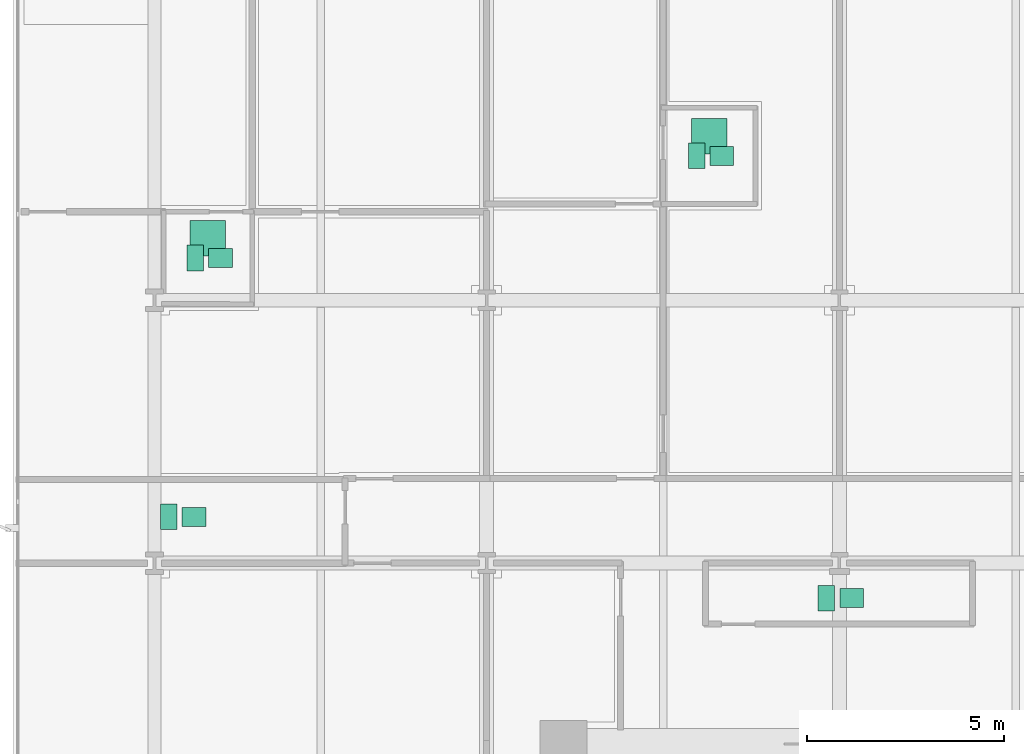
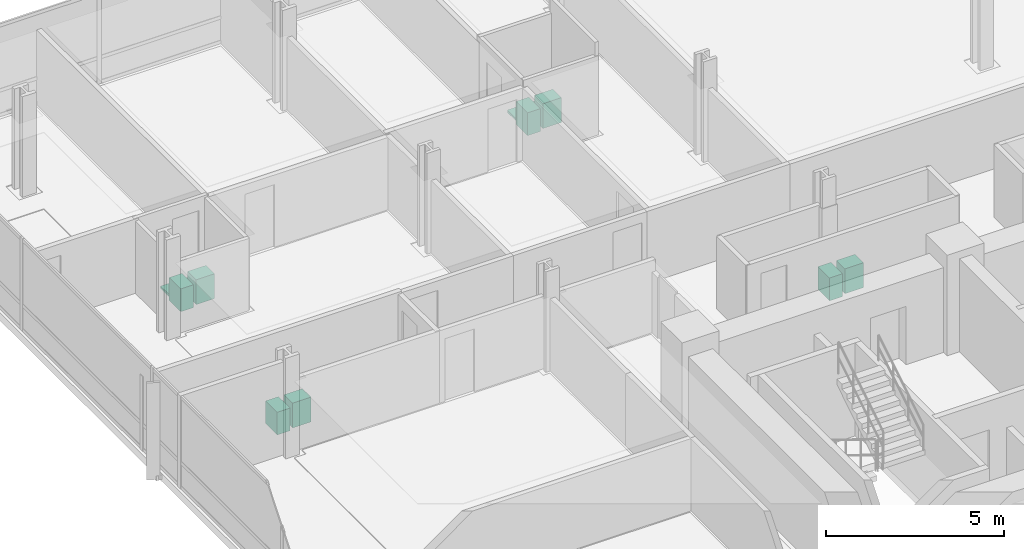
# One storey, part 21 of 21: 10 sanitary terminals.
"""IFC4 building model written with IfcOpenShell, lengths in metres."""

from ifc_helpers import new_model, si_unit, direction, frame, origin, origin_2d, place, context, subcontext, project, spatial, rectangle, extrude, material, type_object, element, save


model = new_model("IFC4")

# Units and contexts
model_context = context("Model", 3, precision=1e-05, world=origin(), true_north=direction((0.0, 1.0)))
body_context = subcontext(model_context, "Body", "Model", "MODEL_VIEW")
ifc_project = project(units=[si_unit("LENGTHUNIT", "METRE"), si_unit("AREAUNIT", "SQUARE_METRE"), si_unit("VOLUMEUNIT", "CUBIC_METRE"), si_unit("PLANEANGLEUNIT", "RADIAN"), si_unit("MASSUNIT", "GRAM", prefix="KILO")], contexts=[model_context])

# Site, building, storey
site_placement = place(None, origin())
site = spatial("IfcSite", under=ifc_project, at=site_placement, CompositionType="ELEMENT")
building_placement = place(site_placement, origin())
building = spatial("IfcBuilding", under=site, at=building_placement, Name="Solmavex Isthmus Hotel", CompositionType="ELEMENT")
storey_placement = place(building_placement, frame((0.0, 0.0, 60.89990234375)))
storey = spatial("IfcBuildingStorey", under=building, at=storey_placement, Name="L16", CompositionType="ELEMENT", Elevation=60.89990234375)

# Sanitary terminals
ifc_material = material(Name="Vitreous china ceramic", Category="ceramic")
sanitary_terminal_type_1 = type_object("IfcSanitaryTerminalType", Name="SAN-BASIN", PredefinedType="WASHHANDBASIN", material=ifc_material)
for number, where, z_axis, x_axis, name in (
    (1, (-24.720947265625, 9.863037109375, 0.0), (0.0, 0.0, 1.0), (1.0, 0.0, 0.0), "Vanity Washbasin L16-74"),
    (2, (-11.968994140625, 12.462890625, 0.0), (0.0, 0.0, 1.0), (1.0, 0.0, 0.0), "Vanity Washbasin L16-75"),
    (3, (-8.666015625, 1.21240234375, 0.0), (0.0, 0.0, 1.0), (1.0, 0.0, 0.0), "Vanity Washbasin L16-76"),
    (4, (-25.39599609375, 3.277587890625, 0.0), (0.0, 0.0, 1.0), (1.0, 0.0, 0.0), "Vanity Washbasin L16-77"),
):
    element("IfcSanitaryTerminal", number, at=place(storey_placement, frame(where, z_axis=z_axis, x_axis=x_axis)), inside=storey, type_object=sanitary_terminal_type_1, Name=name, PredefinedType="WASHHANDBASIN", context=body_context, shape_type="SweptSolid", body=[
        extrude(rectangle(XDim=0.60009765625, YDim=0.47998046875, at=origin_2d()), origin(), (0.0, 0.0, 1.0), 0.85009765625),
    ])
sanitary_terminal_type_2 = type_object("IfcSanitaryTerminalType", Name="SAN-SHOWER", PredefinedType="SHOWER", material=ifc_material)
for number, where, z_axis, x_axis, name in (
    (5, (-25.041015625, 10.363037109375, 0.0), (0.0, 0.0, 1.0), (1.0, 0.0, 0.0), "Walk-In Shower L16-74"),
    (6, (-12.2890625, 12.962890625, 0.0), (0.0, 0.0, 1.0), (1.0, 0.0, 0.0), "Walk-In Shower L16-75"),
):
    element("IfcSanitaryTerminal", number, at=place(storey_placement, frame(where, z_axis=z_axis, x_axis=x_axis)), inside=storey, type_object=sanitary_terminal_type_2, Name=name, PredefinedType="SHOWER", context=body_context, shape_type="SweptSolid", body=[
        extrude(rectangle(XDim=0.89990234375, YDim=0.89990234375, at=origin_2d()), origin(), (0.0, 0.0, 1.0), 0.080078125),
    ])
sanitary_terminal_type_3 = type_object("IfcSanitaryTerminalType", Name="SAN-WC-SUITE", PredefinedType="TOILETPAN", material=ifc_material)
for number, where, z_axis, x_axis, name in (
    (7, (-25.361083984375, 9.863037109375, 0.0), (0.0, 0.0, 1.0), (1.0, 0.0, 0.0), "Water Closet L16-74"),
    (8, (-12.60888671875, 12.462890625, 0.0), (0.0, 0.0, 1.0), (1.0, 0.0, 0.0), "Water Closet L16-75"),
    (9, (-9.305908203125, 1.21240234375, 0.0), (0.0, 0.0, 1.0), (1.0, 0.0, 0.0), "Water Closet L16-76"),
    (10, (-26.035888671875, 3.277587890625, 0.0), (0.0, 0.0, 1.0), (1.0, 0.0, 0.0), "Water Closet L16-77"),
):
    element("IfcSanitaryTerminal", number, at=place(storey_placement, frame(where, z_axis=z_axis, x_axis=x_axis)), inside=storey, type_object=sanitary_terminal_type_3, Name=name, PredefinedType="TOILETPAN", context=body_context, shape_type="SweptSolid", body=[
        extrude(rectangle(XDim=0.419921875, YDim=0.64990234375, at=origin_2d()), origin(), (0.0, 0.0, 1.0), 0.780029296875),
    ])

save(model, "model.ifc")
